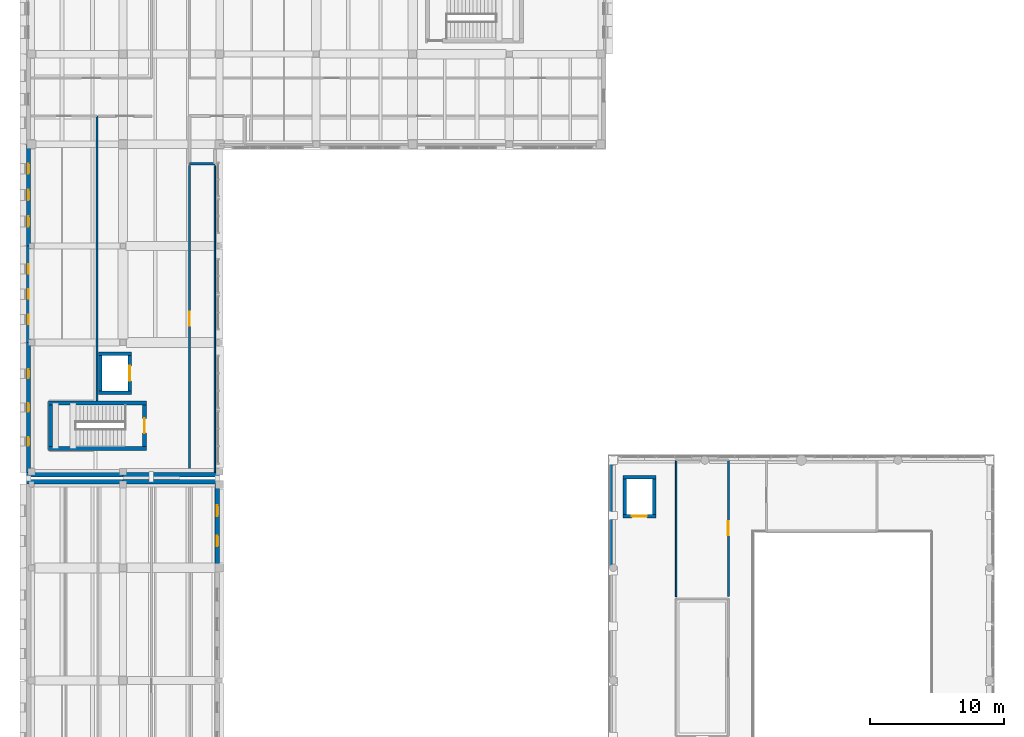
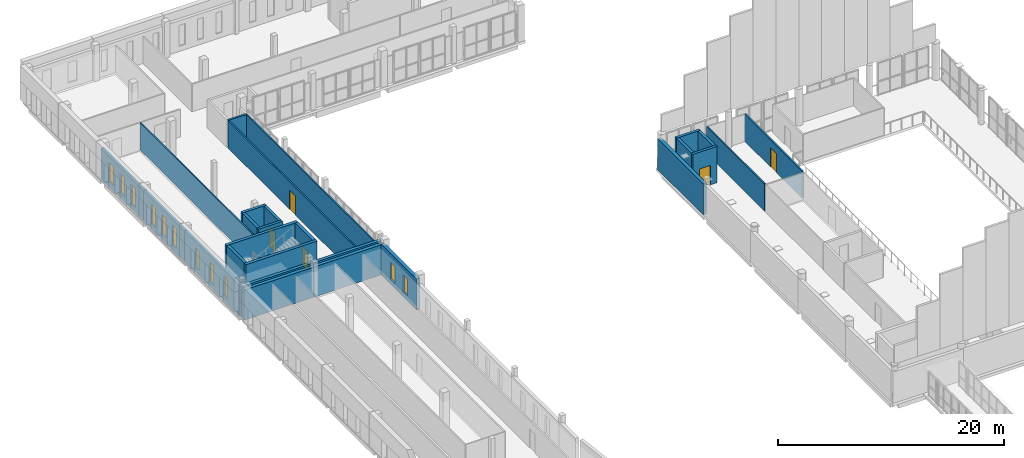
# One storey, part 57 of 76: 27 walls, 11 windows, 5 doors, 16 openings.
"""IFC4 building model written with IfcOpenShell, lengths in metres."""

from ifc_helpers import new_model, si_unit, direction, frame, frame_2d, origin, place, context, subcontext, project, spatial, rectangle, extrude, material, layer, layer_set, type_object, element, fill, save


model = new_model("IFC4")

# Units and contexts
model_context = context("Model", 3, precision=1e-05, world=origin(), true_north=direction((0.0, 1.0)))
body_context = subcontext(model_context, "Body", "Model", "MODEL_VIEW")
ifc_project = project(units=[si_unit("LENGTHUNIT", "METRE"), si_unit("AREAUNIT", "SQUARE_METRE"), si_unit("VOLUMEUNIT", "CUBIC_METRE"), si_unit("PLANEANGLEUNIT", "RADIAN"), si_unit("MASSUNIT", "GRAM", prefix="KILO")], contexts=[model_context])

# Site, building, storey
site_placement = place(None, origin())
site = spatial("IfcSite", under=ifc_project, at=site_placement, CompositionType="ELEMENT")
building_placement = place(site_placement, origin())
building = spatial("IfcBuilding", under=site, at=building_placement, Name="Vardoun Plaza Health Centre", CompositionType="ELEMENT")
storey_placement = place(building_placement, frame((0.0, 0.0, 4.5)))
storey = spatial("IfcBuildingStorey", under=building, at=storey_placement, Name="L01", CompositionType="ELEMENT", Elevation=4.5)

# Walls
ifc_material_1 = material(Name="Concrete C40/50", Category="concrete")
ifc_layer_1 = layer(ifc_material_1, 0.27001953125)
ifc_layer_set_1 = layer_set([ifc_layer_1], Name="Concrete C40/50")
wall_type_1 = type_object("IfcWallType", Name="SW-03", PredefinedType="SHEAR", material=ifc_layer_set_1)
wall_1_placement = place(storey_placement, frame((12.3349609375, 82.949951171875, 0.0), z_axis=(0.0, 0.0, 1.0), x_axis=(-1.0, 0.0, 0.0)))
element("IfcWall", 1, at=wall_1_placement, inside=storey, type_object=wall_type_1, Name="Lift LP-01 L01 Shaft Wall S", PredefinedType="SHEAR", context=body_context, shape_type="SweptSolid", body=[
    extrude(rectangle(XDim=2.469970703125, YDim=0.27001953125, at=frame_2d((1.23486328125, 0.0))), origin(), (0.0, 0.0, 1.0), 3.93505859375),
])
wall_2_placement = place(storey_placement, frame((10.0, 83.0849609375, 0.0), z_axis=(0.0, 0.0, 1.0), x_axis=(0.0, 1.0, 0.0)))
element("IfcWall", 2, at=wall_2_placement, inside=storey, type_object=wall_type_1, Name="Lift LP-01 L01 Shaft Wall W", PredefinedType="SHEAR", context=body_context, shape_type="SweptSolid", body=[
    extrude(rectangle(XDim=2.630126953125, YDim=0.27001953125, at=frame_2d((1.31494140625, 0.0))), origin(), (0.0, 0.0, 1.0), 3.93505859375),
])
wall_3_placement = place(storey_placement, frame((9.864990234375, 85.85009765625, 0.0), z_axis=(0.0, 0.0, 1.0), x_axis=(1.0, 0.0, 0.0)))
element("IfcWall", 3, at=wall_3_placement, inside=storey, type_object=wall_type_1, Name="Lift LP-01 L01 Shaft Wall N", PredefinedType="SHEAR", context=body_context, shape_type="SweptSolid", body=[
    extrude(rectangle(XDim=2.469970703125, YDim=0.27001953125, at=frame_2d((1.23486328125, 0.0))), origin(), (0.0, 0.0, 1.0), 3.93505859375),
])

# Wall, opening, door
wall_4_placement = place(storey_placement, frame((12.199951171875, 85.715087890625, 0.0), z_axis=(0.0, 0.0, 1.0), x_axis=(0.0, -1.0, 0.0)))
wall_4 = element("IfcWall", 4, at=wall_4_placement, inside=storey, type_object=wall_type_1, Name="Lift LP-01 L01 Shaft Wall E", PredefinedType="SHEAR", context=body_context, shape_type="SweptSolid", body=[
    extrude(rectangle(XDim=2.630126953125, YDim=0.27001953125, at=frame_2d((1.31494140625, 0.0))), origin(), (0.0, 0.0, 1.0), 3.93505859375),
])
opening_1_placement = place(wall_4_placement, frame((0.7548828125, 0.0, 0.0)))
opening_1 = element("IfcOpeningElement", 5, at=opening_1_placement, cuts=wall_4, Name="Opening LD-LP-01-L01", PredefinedType="OPENING", context=body_context, shape_type="SweptSolid", body=[
    extrude(rectangle(XDim=1.1201171875, YDim=2.10009765625, at=frame_2d((0.56005859375, 1.050048828125))), frame((0.0, 0.135009765625, 0.0), z_axis=(0.0, -1.0, 0.0), x_axis=(1.0, 0.0, 0.0)), (0.0, 0.0, 1.0), 0.27001953125),
])
ifc_material_2 = material(Name="Brushed Stainless Steel Grade 316L", Category="steel")
door_type_1 = type_object("IfcDoorType", Name="LD-01", OperationType="DOUBLE_DOOR_SLIDING", PredefinedType="DOOR", material=ifc_material_2)
door_1_placement = place(opening_1_placement, origin())
door_1 = element("IfcDoor", 6, at=door_1_placement, inside=storey, type_object=door_type_1, Name="Lift LP-01 L01 Sliding Landing Door", OperationType="DOUBLE_DOOR_SLIDING", OverallHeight=2.10009765625, OverallWidth=1.1201171875, PredefinedType="DOOR", context=body_context, shape_type="SweptSolid", body=[
    extrude(rectangle(XDim=1.1201171875, YDim=2.10009765625, at=frame_2d((0.56005859375, 1.050048828125))), frame((0.0, 0.02490234375, 0.0), z_axis=(0.0, -1.0, 0.0), x_axis=(1.0, 0.0, 0.0)), (0.0, 0.0, 1.0), 0.050048828125),
])
fill(opening_1, door_1)

wall_5_placement = place(storey_placement, frame((51.43505859375, 73.75, 0.0), z_axis=(0.0, 0.0, 1.0), x_axis=(-1.0, 0.0, 0.0)))
wall_5 = element("IfcWall", 7, at=wall_5_placement, inside=storey, type_object=wall_type_1, Name="Lift LP-02 L01 Shaft Wall S", PredefinedType="SHEAR", context=body_context, shape_type="SweptSolid", body=[
    extrude(rectangle(XDim=2.469970703125, YDim=0.27001953125, at=frame_2d((1.23486328125, 0.0))), origin(), (0.0, 0.0, 1.0), 3.919921875),
])
opening_2_placement = place(wall_5_placement, frame((0.675048828125, 0.0, 0.0)))
opening_2 = element("IfcOpeningElement", 8, at=opening_2_placement, cuts=wall_5, Name="Opening LD-LP-02-L01", PredefinedType="OPENING", context=body_context, shape_type="SweptSolid", body=[
    extrude(rectangle(XDim=1.1201171875, YDim=2.10009765625, at=frame_2d((0.56005859375, 1.050048828125))), frame((0.0, 0.135009765625, 0.0), z_axis=(0.0, -1.0, 0.0), x_axis=(1.0, 0.0, 0.0)), (0.0, 0.0, 1.0), 0.27001953125),
])
door_2_placement = place(opening_2_placement, origin())
door_2 = element("IfcDoor", 9, at=door_2_placement, inside=storey, type_object=door_type_1, Name="Lift LP-02 L01 Sliding Landing Door", OperationType="DOUBLE_DOOR_SLIDING", OverallHeight=2.10009765625, OverallWidth=1.1201171875, PredefinedType="DOOR", context=body_context, shape_type="SweptSolid", body=[
    extrude(rectangle(XDim=1.1201171875, YDim=2.10009765625, at=frame_2d((0.56005859375, 1.050048828125))), frame((0.0, 0.02490234375, 0.0), z_axis=(0.0, -1.0, 0.0), x_axis=(1.0, 0.0, 0.0)), (0.0, 0.0, 1.0), 0.050048828125),
])
fill(opening_2, door_2)

# Walls
wall_6_placement = place(storey_placement, frame((49.10009765625, 73.885009765625, 0.0), z_axis=(0.0, 0.0, 1.0), x_axis=(0.0, 1.0, 0.0)))
element("IfcWall", 10, at=wall_6_placement, inside=storey, type_object=wall_type_1, Name="Lift LP-02 L01 Shaft Wall W", PredefinedType="SHEAR", context=body_context, shape_type="SweptSolid", body=[
    extrude(rectangle(XDim=2.6298828125, YDim=0.27001953125, at=frame_2d((1.31494140625, 0.0))), origin(), (0.0, 0.0, 1.0), 3.919921875),
])
wall_7_placement = place(storey_placement, frame((48.965087890625, 76.64990234375, 0.0), z_axis=(0.0, 0.0, 1.0), x_axis=(1.0, 0.0, 0.0)))
element("IfcWall", 11, at=wall_7_placement, inside=storey, type_object=wall_type_1, Name="Lift LP-02 L01 Shaft Wall N", PredefinedType="SHEAR", context=body_context, shape_type="SweptSolid", body=[
    extrude(rectangle(XDim=2.469970703125, YDim=0.27001953125, at=frame_2d((1.23486328125, 0.0))), origin(), (0.0, 0.0, 1.0), 3.919921875),
])
wall_8_placement = place(storey_placement, frame((51.300048828125, 76.514892578125, 0.0), z_axis=(0.0, 0.0, 1.0), x_axis=(0.0, -1.0, 0.0)))
element("IfcWall", 12, at=wall_8_placement, inside=storey, type_object=wall_type_1, Name="Lift LP-02 L01 Shaft Wall E", PredefinedType="SHEAR", context=body_context, shape_type="SweptSolid", body=[
    extrude(rectangle(XDim=2.6298828125, YDim=0.27001953125, at=frame_2d((1.31494140625, 0.0))), origin(), (0.0, 0.0, 1.0), 3.919921875),
])
ifc_material_3 = material(Name="Concrete C40/50", Category="concrete")
ifc_layer_2 = layer(ifc_material_3, 0.300048828125)
ifc_layer_set_2 = layer_set([ifc_layer_2], Name="Concrete C40/50")
wall_type_2 = type_object("IfcWallType", Name="SW-01", PredefinedType="SHEAR", material=ifc_layer_set_2)
wall_9_placement = place(storey_placement, frame((13.449951171875, 78.800048828125, 0.0), z_axis=(0.0, 0.0, 1.0), x_axis=(-1.0, 0.0, 0.0)))
element("IfcWall", 13, at=wall_9_placement, inside=storey, type_object=wall_type_2, Name="Core C3 L01 Shear Wall S", PredefinedType="SHEAR", context=body_context, shape_type="SweptSolid", body=[
    extrude(rectangle(XDim=7.300048828125, YDim=0.300048828125, at=frame_2d((3.64990234375, 0.0))), origin(), (0.0, 0.0, 1.0), 3.93505859375),
])
wall_10_placement = place(storey_placement, frame((6.300048828125, 78.949951171875, 0.0), z_axis=(0.0, 0.0, 1.0), x_axis=(0.0, 1.0, 0.0)))
element("IfcWall", 14, at=wall_10_placement, inside=storey, type_object=wall_type_2, Name="Core C3 L01 Shear Wall W", PredefinedType="SHEAR", context=body_context, shape_type="SweptSolid", body=[
    extrude(rectangle(XDim=3.10009765625, YDim=0.300048828125, at=frame_2d((1.550048828125, 0.0))), origin(), (0.0, 0.0, 1.0), 3.93505859375),
])
wall_11_placement = place(storey_placement, frame((6.14990234375, 82.199951171875, 0.0), z_axis=(0.0, 0.0, 1.0), x_axis=(1.0, 0.0, 0.0)))
element("IfcWall", 15, at=wall_11_placement, inside=storey, type_object=wall_type_2, Name="Core C3 L01 Shear Wall N", PredefinedType="SHEAR", context=body_context, shape_type="SweptSolid", body=[
    extrude(rectangle(XDim=7.300048828125, YDim=0.300048828125, at=frame_2d((3.64990234375, 0.0))), origin(), (0.0, 0.0, 1.0), 3.93505859375),
])

# Wall, opening, door
wall_12_placement = place(storey_placement, frame((13.300048828125, 82.050048828125, 0.0), z_axis=(0.0, 0.0, 1.0), x_axis=(0.0, -1.0, 0.0)))
wall_12 = element("IfcWall", 16, at=wall_12_placement, inside=storey, type_object=wall_type_2, Name="Core C3 L01 Shear Wall E", PredefinedType="SHEAR", context=body_context, shape_type="SweptSolid", body=[
    extrude(rectangle(XDim=3.10009765625, YDim=0.300048828125, at=frame_2d((1.550048828125, 0.0))), origin(), (0.0, 0.0, 1.0), 3.93505859375),
])
opening_3_placement = place(wall_12_placement, frame((1.0, 0.0, 0.0)))
opening_3 = element("IfcOpeningElement", 17, at=opening_3_placement, cuts=wall_12, Name="Opening SD-C3-L01", PredefinedType="OPENING", context=body_context, shape_type="SweptSolid", body=[
    extrude(rectangle(XDim=1.10009765625, YDim=2.050048828125, at=frame_2d((0.550048828125, 1.02490234375))), frame((0.0, 0.14990234375, 0.0), z_axis=(0.0, -1.0, 0.0), x_axis=(1.0, 0.0, 0.0)), (0.0, 0.0, 1.0), 0.300048828125),
])
ifc_material_4 = material(Name="Brushed Stainless Steel Grade 316L", Category="steel")
door_type_2 = type_object("IfcDoorType", Name="FD-01", OperationType="NOTDEFINED", PredefinedType="DOOR", material=ifc_material_4)
door_3_placement = place(opening_3_placement, origin())
door_3 = element("IfcDoor", 18, at=door_3_placement, inside=storey, type_object=door_type_2, Name="Stair C3 L01 Fire Door", OperationType="SINGLE_SWING_RIGHT", OverallHeight=2.050048828125, OverallWidth=1.10009765625, PredefinedType="DOOR", context=body_context, shape_type="SweptSolid", body=[
    extrude(rectangle(XDim=1.10009765625, YDim=2.050048828125, at=frame_2d((0.550048828125, 1.02490234375))), frame((0.0, 0.02490234375, 0.0), z_axis=(0.0, -1.0, 0.0), x_axis=(1.0, 0.0, 0.0)), (0.0, 0.0, 1.0), 0.050048828125),
])
fill(opening_3, door_3)

# Walls
ifc_material_5 = material(Name="Pale Limestone Concrete C35/45", Category="masonry")
ifc_layer_3 = layer(ifc_material_5, 0.31494140625)
ifc_layer_set_3 = layer_set([ifc_layer_3], Name="Pale Limestone Concrete C35/45")
wall_type_3 = type_object("IfcWallType", Name="EW-03", PredefinedType="SOLIDWALL", material=ifc_layer_set_3)
for number, where, z_axis, x_axis, name in (
    (19, (18.89990234375, 76.83740234375, 0.0), (0.0, 0.0, 1.0), (-1.0, 0.0, 0.0), "V3 L01 Exterior Wall EW-V3-267"),
    (20, (11.699951171875, 76.83740234375, 0.0), (0.0, 0.0, 1.0), (-1.0, 0.0, 0.0), "V3 L01 Exterior Wall EW-V3-268"),
):
    element("IfcWall", number, at=place(storey_placement, frame(where, z_axis=z_axis, x_axis=x_axis)), inside=storey, type_object=wall_type_3, Name=name, PredefinedType="SOLIDWALL", context=body_context, shape_type="SweptSolid", body=[
        extrude(rectangle(XDim=7.199951171875, YDim=0.31494140625, at=frame_2d((3.60009765625, 0.0))), origin(), (0.0, 0.0, 1.0), 3.300048828125),
    ])

# Wall, openings, windows
wall_13_placement = place(storey_placement, frame((4.657470703125, 76.9951171875, 0.0), z_axis=(0.0, 0.0, 1.0), x_axis=(0.0, 1.0, 0.0)))
wall_13 = element("IfcWall", 21, at=wall_13_placement, inside=storey, type_object=wall_type_3, Name="V3 L01 Exterior Wall EW-V3-269", PredefinedType="SOLIDWALL", context=body_context, shape_type="SweptSolid", body=[
    extrude(rectangle(XDim=9.704833984375, YDim=0.31494140625, at=frame_2d((4.8525390625, 0.0))), origin(), (0.0, 0.0, 1.0), 3.300048828125),
])
opening_4_placement = place(wall_13_placement, frame((2.004150390625, 0.0, 0.550048828125)))
opening_4 = element("IfcOpeningElement", 22, at=opening_4_placement, cuts=wall_13, Name="Opening W-31-007", PredefinedType="OPENING", context=body_context, shape_type="SweptSolid", body=[
    extrude(rectangle(XDim=0.64990234375, YDim=2.139892578125, at=frame_2d((0.324951171875, 1.06982421875))), frame((0.0, 0.157470703125, 0.0), z_axis=(0.0, -1.0, 0.0), x_axis=(1.0, 0.0, 0.0)), (0.0, 0.0, 1.0), 0.31494140625),
])
opening_5_placement = place(wall_13_placement, frame((4.527587890625, 0.0, 0.550048828125)))
opening_5 = element("IfcOpeningElement", 23, at=opening_5_placement, cuts=wall_13, Name="Opening W-31-008", PredefinedType="OPENING", context=body_context, shape_type="SweptSolid", body=[
    extrude(rectangle(XDim=0.64990234375, YDim=2.139892578125, at=frame_2d((0.324951171875, 1.06982421875))), frame((0.0, 0.157470703125, 0.0), z_axis=(0.0, -1.0, 0.0), x_axis=(1.0, 0.0, 0.0)), (0.0, 0.0, 1.0), 0.31494140625),
])
opening_6_placement = place(wall_13_placement, frame((7.05078125, 0.0, 0.550048828125)))
opening_6 = element("IfcOpeningElement", 24, at=opening_6_placement, cuts=wall_13, Name="Opening W-31-009", PredefinedType="OPENING", context=body_context, shape_type="SweptSolid", body=[
    extrude(rectangle(XDim=0.64990234375, YDim=2.139892578125, at=frame_2d((0.324951171875, 1.06982421875))), frame((0.0, 0.157470703125, 0.0), z_axis=(0.0, -1.0, 0.0), x_axis=(1.0, 0.0, 0.0)), (0.0, 0.0, 1.0), 0.31494140625),
])
ifc_material_6 = material(Name="Aluminium Alloy EN AW-6063-T6 and Low-E Glass", Category="aluminium")
window_type_1 = type_object("IfcWindowType", Name="W-31", PartitioningType="SINGLE_PANEL", PredefinedType="WINDOW", material=ifc_material_6)
window_1_placement = place(opening_4_placement, origin())
window_1 = element("IfcWindow", 25, at=window_1_placement, inside=storey, type_object=window_type_1, Name="V3 L01 Deep-Punched Slot Window W-31-411", OverallHeight=2.139892578125, OverallWidth=0.64990234375, PartitioningType="SINGLE_PANEL", PredefinedType="WINDOW", context=body_context, shape_type="SweptSolid", body=[
    extrude(rectangle(XDim=0.64990234375, YDim=2.139892578125, at=frame_2d((0.324951171875, 1.06982421875))), frame((0.0, 0.030029296875, 0.0), z_axis=(0.0, -1.0, 0.0), x_axis=(1.0, 0.0, 0.0)), (0.0, 0.0, 1.0), 0.06005859375),
])
fill(opening_4, window_1)
window_2_placement = place(opening_5_placement, origin())
window_2 = element("IfcWindow", 26, at=window_2_placement, inside=storey, type_object=window_type_1, Name="V3 L01 Deep-Punched Slot Window W-31-412", OverallHeight=2.139892578125, OverallWidth=0.64990234375, PartitioningType="SINGLE_PANEL", PredefinedType="WINDOW", context=body_context, shape_type="SweptSolid", body=[
    extrude(rectangle(XDim=0.64990234375, YDim=2.139892578125, at=frame_2d((0.324951171875, 1.06982421875))), frame((0.0, 0.030029296875, 0.0), z_axis=(0.0, -1.0, 0.0), x_axis=(1.0, 0.0, 0.0)), (0.0, 0.0, 1.0), 0.06005859375),
])
fill(opening_5, window_2)
window_3_placement = place(opening_6_placement, origin())
window_3 = element("IfcWindow", 27, at=window_3_placement, inside=storey, type_object=window_type_1, Name="V3 L01 Deep-Punched Slot Window W-31-413", OverallHeight=2.139892578125, OverallWidth=0.64990234375, PartitioningType="SINGLE_PANEL", PredefinedType="WINDOW", context=body_context, shape_type="SweptSolid", body=[
    extrude(rectangle(XDim=0.64990234375, YDim=2.139892578125, at=frame_2d((0.324951171875, 1.06982421875))), frame((0.0, 0.030029296875, 0.0), z_axis=(0.0, -1.0, 0.0), x_axis=(1.0, 0.0, 0.0)), (0.0, 0.0, 1.0), 0.06005859375),
])
fill(opening_6, window_3)

wall_14_placement = place(storey_placement, frame((4.657470703125, 86.699951171875, 0.0), z_axis=(0.0, 0.0, 1.0), x_axis=(0.0, 1.0, 0.0)))
wall_14 = element("IfcWall", 28, at=wall_14_placement, inside=storey, type_object=wall_type_3, Name="V3 L01 Exterior Wall EW-V3-270", PredefinedType="SOLIDWALL", context=body_context, shape_type="SweptSolid", body=[
    extrude(rectangle(XDim=7.199951171875, YDim=0.31494140625, at=frame_2d((3.60009765625, 0.0))), origin(), (0.0, 0.0, 1.0), 3.27001953125),
])
opening_7_placement = place(wall_14_placement, frame((1.373046875, 0.0, 0.550048828125)))
opening_7 = element("IfcOpeningElement", 29, at=opening_7_placement, cuts=wall_14, Name="Opening W-32-009", PredefinedType="OPENING", context=body_context, shape_type="SweptSolid", body=[
    extrude(rectangle(XDim=0.7099609375, YDim=2.139892578125, at=frame_2d((0.35498046875, 1.06982421875))), frame((0.0, 0.157470703125, 0.0), z_axis=(0.0, -1.0, 0.0), x_axis=(1.0, 0.0, 0.0)), (0.0, 0.0, 1.0), 0.31494140625),
])
opening_8_placement = place(wall_14_placement, frame((3.2451171875, 0.0, 0.550048828125)))
opening_8 = element("IfcOpeningElement", 30, at=opening_8_placement, cuts=wall_14, Name="Opening W-32-010", PredefinedType="OPENING", context=body_context, shape_type="SweptSolid", body=[
    extrude(rectangle(XDim=0.7099609375, YDim=2.139892578125, at=frame_2d((0.35498046875, 1.06982421875))), frame((0.0, 0.157470703125, 0.0), z_axis=(0.0, -1.0, 0.0), x_axis=(1.0, 0.0, 0.0)), (0.0, 0.0, 1.0), 0.31494140625),
])
opening_9_placement = place(wall_14_placement, frame((5.116943359375, 0.0, 0.550048828125)))
opening_9 = element("IfcOpeningElement", 31, at=opening_9_placement, cuts=wall_14, Name="Opening W-32-011", PredefinedType="OPENING", context=body_context, shape_type="SweptSolid", body=[
    extrude(rectangle(XDim=0.7099609375, YDim=2.139892578125, at=frame_2d((0.35498046875, 1.06982421875))), frame((0.0, 0.157470703125, 0.0), z_axis=(0.0, -1.0, 0.0), x_axis=(1.0, 0.0, 0.0)), (0.0, 0.0, 1.0), 0.31494140625),
])
ifc_material_7 = material(Name="Aluminium Alloy EN AW-6063-T6 and Low-E Glass", Category="aluminium")
window_type_2 = type_object("IfcWindowType", Name="W-32", PartitioningType="SINGLE_PANEL", PredefinedType="WINDOW", material=ifc_material_7)
window_4_placement = place(opening_7_placement, origin())
window_4 = element("IfcWindow", 32, at=window_4_placement, inside=storey, type_object=window_type_2, Name="V3 L01 Deep-Punched Slot Window W-32-414", OverallHeight=2.139892578125, OverallWidth=0.7099609375, PartitioningType="SINGLE_PANEL", PredefinedType="WINDOW", context=body_context, shape_type="SweptSolid", body=[
    extrude(rectangle(XDim=0.7099609375, YDim=2.139892578125, at=frame_2d((0.35498046875, 1.06982421875))), frame((0.0, 0.030029296875, 0.0), z_axis=(0.0, -1.0, 0.0), x_axis=(1.0, 0.0, 0.0)), (0.0, 0.0, 1.0), 0.06005859375),
])
fill(opening_7, window_4)
window_5_placement = place(opening_8_placement, origin())
window_5 = element("IfcWindow", 33, at=window_5_placement, inside=storey, type_object=window_type_2, Name="V3 L01 Deep-Punched Slot Window W-32-415", OverallHeight=2.139892578125, OverallWidth=0.7099609375, PartitioningType="SINGLE_PANEL", PredefinedType="WINDOW", context=body_context, shape_type="SweptSolid", body=[
    extrude(rectangle(XDim=0.7099609375, YDim=2.139892578125, at=frame_2d((0.35498046875, 1.06982421875))), frame((0.0, 0.030029296875, 0.0), z_axis=(0.0, -1.0, 0.0), x_axis=(1.0, 0.0, 0.0)), (0.0, 0.0, 1.0), 0.06005859375),
])
fill(opening_8, window_5)
window_6_placement = place(opening_9_placement, origin())
window_6 = element("IfcWindow", 34, at=window_6_placement, inside=storey, type_object=window_type_2, Name="V3 L01 Deep-Punched Slot Window W-32-416", OverallHeight=2.139892578125, OverallWidth=0.7099609375, PartitioningType="SINGLE_PANEL", PredefinedType="WINDOW", context=body_context, shape_type="SweptSolid", body=[
    extrude(rectangle(XDim=0.7099609375, YDim=2.139892578125, at=frame_2d((0.35498046875, 1.06982421875))), frame((0.0, 0.030029296875, 0.0), z_axis=(0.0, -1.0, 0.0), x_axis=(1.0, 0.0, 0.0)), (0.0, 0.0, 1.0), 0.06005859375),
])
fill(opening_9, window_6)

wall_15_placement = place(storey_placement, frame((4.657470703125, 93.89990234375, 0.0), z_axis=(0.0, 0.0, 1.0), x_axis=(0.0, 1.0, 0.0)))
wall_15 = element("IfcWall", 35, at=wall_15_placement, inside=storey, type_object=wall_type_3, Name="V3 L01 Exterior Wall EW-V3-271", PredefinedType="SOLIDWALL", context=body_context, shape_type="SweptSolid", body=[
    extrude(rectangle(XDim=7.580078125, YDim=0.31494140625, at=frame_2d((3.7900390625, 0.0))), origin(), (0.0, 0.0, 1.0), 3.27001953125),
])
opening_10_placement = place(wall_15_placement, frame((1.43408203125, 0.0, 0.550048828125)))
opening_10 = element("IfcOpeningElement", 36, at=opening_10_placement, cuts=wall_15, Name="Opening W-33-004", PredefinedType="OPENING", context=body_context, shape_type="SweptSolid", body=[
    extrude(rectangle(XDim=0.77001953125, YDim=2.06005859375, at=frame_2d((0.385009765625, 1.030029296875))), frame((0.0, 0.157470703125, 0.0), z_axis=(0.0, -1.0, 0.0), x_axis=(1.0, 0.0, 0.0)), (0.0, 0.0, 1.0), 0.31494140625),
])
opening_11_placement = place(wall_15_placement, frame((3.405029296875, 0.0, 0.550048828125)))
opening_11 = element("IfcOpeningElement", 37, at=opening_11_placement, cuts=wall_15, Name="Opening W-33-005", PredefinedType="OPENING", context=body_context, shape_type="SweptSolid", body=[
    extrude(rectangle(XDim=0.77001953125, YDim=2.06005859375, at=frame_2d((0.385009765625, 1.030029296875))), frame((0.0, 0.157470703125, 0.0), z_axis=(0.0, -1.0, 0.0), x_axis=(1.0, 0.0, 0.0)), (0.0, 0.0, 1.0), 0.31494140625),
])
opening_12_placement = place(wall_15_placement, frame((5.375732421875, 0.0, 0.550048828125)))
opening_12 = element("IfcOpeningElement", 38, at=opening_12_placement, cuts=wall_15, Name="Opening W-33-006", PredefinedType="OPENING", context=body_context, shape_type="SweptSolid", body=[
    extrude(rectangle(XDim=0.77001953125, YDim=2.06005859375, at=frame_2d((0.385009765625, 1.030029296875))), frame((0.0, 0.157470703125, 0.0), z_axis=(0.0, -1.0, 0.0), x_axis=(1.0, 0.0, 0.0)), (0.0, 0.0, 1.0), 0.31494140625),
])
ifc_material_8 = material(Name="Aluminium Alloy EN AW-6063-T6 and Low-E Glass", Category="aluminium")
window_type_3 = type_object("IfcWindowType", Name="W-33", PartitioningType="SINGLE_PANEL", PredefinedType="WINDOW", material=ifc_material_8)
window_7_placement = place(opening_10_placement, origin())
window_7 = element("IfcWindow", 39, at=window_7_placement, inside=storey, type_object=window_type_3, Name="V3 L01 Deep-Punched Slot Window W-33-417", OverallHeight=2.06005859375, OverallWidth=0.77001953125, PartitioningType="SINGLE_PANEL", PredefinedType="WINDOW", context=body_context, shape_type="SweptSolid", body=[
    extrude(rectangle(XDim=0.77001953125, YDim=2.06005859375, at=frame_2d((0.385009765625, 1.030029296875))), frame((0.0, 0.030029296875, 0.0), z_axis=(0.0, -1.0, 0.0), x_axis=(1.0, 0.0, 0.0)), (0.0, 0.0, 1.0), 0.06005859375),
])
fill(opening_10, window_7)
window_8_placement = place(opening_11_placement, origin())
window_8 = element("IfcWindow", 40, at=window_8_placement, inside=storey, type_object=window_type_3, Name="V3 L01 Deep-Punched Slot Window W-33-418", OverallHeight=2.06005859375, OverallWidth=0.77001953125, PartitioningType="SINGLE_PANEL", PredefinedType="WINDOW", context=body_context, shape_type="SweptSolid", body=[
    extrude(rectangle(XDim=0.77001953125, YDim=2.06005859375, at=frame_2d((0.385009765625, 1.030029296875))), frame((0.0, 0.030029296875, 0.0), z_axis=(0.0, -1.0, 0.0), x_axis=(1.0, 0.0, 0.0)), (0.0, 0.0, 1.0), 0.06005859375),
])
fill(opening_11, window_8)
window_9_placement = place(opening_12_placement, origin())
window_9 = element("IfcWindow", 41, at=window_9_placement, inside=storey, type_object=window_type_3, Name="V3 L01 Deep-Punched Slot Window W-33-419", OverallHeight=2.06005859375, OverallWidth=0.77001953125, PartitioningType="SINGLE_PANEL", PredefinedType="WINDOW", context=body_context, shape_type="SweptSolid", body=[
    extrude(rectangle(XDim=0.77001953125, YDim=2.06005859375, at=frame_2d((0.385009765625, 1.030029296875))), frame((0.0, 0.030029296875, 0.0), z_axis=(0.0, -1.0, 0.0), x_axis=(1.0, 0.0, 0.0)), (0.0, 0.0, 1.0), 0.06005859375),
])
fill(opening_12, window_9)

# Walls
ifc_material_9 = material(Name="Pale Limestone Concrete C35/45", Category="masonry")
ifc_layer_4 = layer(ifc_material_9, 0.330078125)
ifc_layer_set_4 = layer_set([ifc_layer_4], Name="Pale Limestone Concrete C35/45")
wall_type_4 = type_object("IfcWallType", Name="EW-02", PredefinedType="SOLIDWALL", material=ifc_layer_set_4)
wall_16_placement = place(storey_placement, frame((48.044921875, 69.89990234375, 0.0), z_axis=(0.0, 0.0, 1.0), x_axis=(0.0, 1.0, 0.0)))
element("IfcWall", 42, at=wall_16_placement, inside=storey, type_object=wall_type_4, Name="V1 L01 Exterior Wall EW-V1-038", PredefinedType="SOLIDWALL", context=body_context, shape_type="SweptSolid", body=[
    extrude(rectangle(XDim=8.070068359375, YDim=0.330078125, at=frame_2d((4.03515625, 0.0))), origin(), (0.0, 0.0, 1.0), 3.385009765625),
])
ifc_material_10 = material(Name="Pale Limestone Concrete C35/45", Category="masonry")
ifc_layer_5 = layer(ifc_material_10, 0.344970703125)
ifc_layer_set_5 = layer_set([ifc_layer_5], Name="Pale Limestone Concrete C35/45")
wall_type_5 = type_object("IfcWallType", Name="EW-01", PredefinedType="SOLIDWALL", material=ifc_layer_set_5)
for number, where, z_axis, x_axis, name in (
    (43, (4.5, 76.327392578125, 0.0), (0.0, 0.0, 1.0), (1.0, 0.0, 0.0), "V2 L01 Exterior Wall EW-V2-099"),
    (44, (11.699951171875, 76.327392578125, 0.0), (0.0, 0.0, 1.0), (1.0, 0.0, 0.0), "V2 L01 Exterior Wall EW-V2-100"),
):
    element("IfcWall", number, at=place(storey_placement, frame(where, z_axis=z_axis, x_axis=x_axis)), inside=storey, type_object=wall_type_5, Name=name, PredefinedType="SOLIDWALL", context=body_context, shape_type="SweptSolid", body=[
        extrude(rectangle(XDim=7.199951171875, YDim=0.344970703125, at=frame_2d((3.60009765625, 0.0))), origin(), (0.0, 0.0, 1.0), 3.2548828125),
    ])

# Wall, openings, windows
wall_17_placement = place(storey_placement, frame((18.7275390625, 76.155029296875, 0.0), z_axis=(0.0, 0.0, 1.0), x_axis=(0.0, -1.0, 0.0)))
wall_17 = element("IfcWall", 45, at=wall_17_placement, inside=storey, type_object=wall_type_5, Name="V2 L01 Exterior Wall EW-V2-101", PredefinedType="SOLIDWALL", context=body_context, shape_type="SweptSolid", body=[
    extrude(rectangle(XDim=6.255126953125, YDim=0.344970703125, at=frame_2d((3.12744140625, 0.0))), origin(), (0.0, 0.0, 1.0), 3.35498046875),
])
opening_13_placement = place(wall_17_placement, frame((1.6015625, 0.0, 0.550048828125)))
opening_13 = element("IfcOpeningElement", 46, at=opening_13_placement, cuts=wall_17, Name="Opening W-27-004", PredefinedType="OPENING", context=body_context, shape_type="SweptSolid", body=[
    extrude(rectangle(XDim=0.800048828125, YDim=1.800048828125, at=frame_2d((0.39990234375, 0.89990234375))), frame((0.0, 0.17236328125, 0.0), z_axis=(0.0, -1.0, 0.0), x_axis=(1.0, 0.0, 0.0)), (0.0, 0.0, 1.0), 0.344970703125),
])
opening_14_placement = place(wall_17_placement, frame((3.853515625, 0.0, 0.550048828125)))
opening_14 = element("IfcOpeningElement", 47, at=opening_14_placement, cuts=wall_17, Name="Opening W-27-005", PredefinedType="OPENING", context=body_context, shape_type="SweptSolid", body=[
    extrude(rectangle(XDim=0.800048828125, YDim=1.800048828125, at=frame_2d((0.39990234375, 0.89990234375))), frame((0.0, 0.17236328125, 0.0), z_axis=(0.0, -1.0, 0.0), x_axis=(1.0, 0.0, 0.0)), (0.0, 0.0, 1.0), 0.344970703125),
])
ifc_material_11 = material(Name="Aluminium Alloy EN AW-6063-T6 and Low-E Glass", Category="aluminium")
window_type_4 = type_object("IfcWindowType", Name="W-27", PartitioningType="SINGLE_PANEL", PredefinedType="WINDOW", material=ifc_material_11)
window_10_placement = place(opening_13_placement, origin())
window_10 = element("IfcWindow", 48, at=window_10_placement, inside=storey, type_object=window_type_4, Name="V2 L01 Deep-Punched Slot Window W-27-052", OverallHeight=1.800048828125, OverallWidth=0.800048828125, PartitioningType="SINGLE_PANEL", PredefinedType="WINDOW", context=body_context, shape_type="SweptSolid", body=[
    extrude(rectangle(XDim=0.800048828125, YDim=1.800048828125, at=frame_2d((0.39990234375, 0.89990234375))), frame((0.0, 0.030029296875, 0.0), z_axis=(0.0, -1.0, 0.0), x_axis=(1.0, 0.0, 0.0)), (0.0, 0.0, 1.0), 0.06005859375),
])
fill(opening_13, window_10)
window_11_placement = place(opening_14_placement, origin())
window_11 = element("IfcWindow", 49, at=window_11_placement, inside=storey, type_object=window_type_4, Name="V2 L01 Deep-Punched Slot Window W-27-053", OverallHeight=1.800048828125, OverallWidth=0.800048828125, PartitioningType="SINGLE_PANEL", PredefinedType="WINDOW", context=body_context, shape_type="SweptSolid", body=[
    extrude(rectangle(XDim=0.800048828125, YDim=1.800048828125, at=frame_2d((0.39990234375, 0.89990234375))), frame((0.0, 0.030029296875, 0.0), z_axis=(0.0, -1.0, 0.0), x_axis=(1.0, 0.0, 0.0)), (0.0, 0.0, 1.0), 0.06005859375),
])
fill(opening_14, window_11)

# Wall, opening, door
ifc_material_12 = material(Name="Acoustic Gypsum Twin-Stud", Category="steel")
ifc_layer_6 = layer(ifc_material_12, 0.14990234375)
ifc_layer_set_6 = layer_set([ifc_layer_6], Name="Acoustic Gypsum Twin-Stud")
wall_type_6 = type_object("IfcWallType", Name="IW-04", PredefinedType="PARTITIONING", material=ifc_layer_set_6)
wall_18_placement = place(storey_placement, frame((56.830078125, 77.949951171875, 0.0), z_axis=(0.0, 0.0, 1.0), x_axis=(0.0, -1.0, 0.0)))
wall_18 = element("IfcWall", 50, at=wall_18_placement, inside=storey, type_object=wall_type_6, Name="Waiting Concourse Gallery North A Partition Wall", PredefinedType="PARTITIONING", context=body_context, shape_type="SweptSolid", body=[
    extrude(rectangle(XDim=10.204833984375, YDim=0.14990234375, at=frame_2d((5.1025390625, 0.0))), origin(), (0.0, 0.0, 1.0), 2.93994140625),
])
opening_15_placement = place(wall_18_placement, frame((4.58251953125, 0.0, 0.0)))
opening_15 = element("IfcOpeningElement", 51, at=opening_15_placement, cuts=wall_18, Name="Opening D-L01-017", PredefinedType="OPENING", context=body_context, shape_type="SweptSolid", body=[
    extrude(rectangle(XDim=1.0400390625, YDim=2.050048828125, at=frame_2d((0.52001953125, 1.02490234375))), frame((0.0, 0.074951171875, 0.0), z_axis=(0.0, -1.0, 0.0), x_axis=(1.0, 0.0, 0.0)), (0.0, 0.0, 1.0), 0.14990234375),
])
ifc_material_13 = material(Name="Antimicrobial Acoustic Timber and Steel S275JR", Category="steel")
door_type_3 = type_object("IfcDoorType", Name="CD-04", OperationType="NOTDEFINED", PredefinedType="DOOR", material=ifc_material_13)
door_4_placement = place(opening_15_placement, origin())
door_4 = element("IfcDoor", 52, at=door_4_placement, inside=storey, type_object=door_type_3, Name="Waiting Concourse Gallery North A Door D-L01-017", OperationType="SINGLE_SWING_LEFT", OverallHeight=2.050048828125, OverallWidth=1.0400390625, PredefinedType="DOOR", context=body_context, shape_type="SweptSolid", body=[
    extrude(rectangle(XDim=1.0400390625, YDim=2.050048828125, at=frame_2d((0.52001953125, 1.02490234375))), frame((0.0, 0.02490234375, 0.0), z_axis=(0.0, -1.0, 0.0), x_axis=(1.0, 0.0, 0.0)), (0.0, 0.0, 1.0), 0.050048828125),
])
fill(opening_15, door_4)

wall_19_placement = place(storey_placement, frame((16.669921875, 77.030029296875, 0.0), z_axis=(0.0, 0.0, 1.0), x_axis=(0.0, 1.0, 0.0)))
wall_19 = element("IfcWall", 53, at=wall_19_placement, inside=storey, type_object=wall_type_6, Name="Adolescent Health Consulting Room B Partition Wall", PredefinedType="PARTITIONING", context=body_context, shape_type="SweptSolid", body=[
    extrude(rectangle(XDim=22.859130859375, YDim=0.14990234375, at=frame_2d((11.4296875, 0.0))), origin(), (0.0, 0.0, 1.0), 2.955078125),
])
opening_16_placement = place(wall_19_placement, frame((10.909423828125, 0.0, 0.0)))
opening_16 = element("IfcOpeningElement", 54, at=opening_16_placement, cuts=wall_19, Name="Opening D-L01-095", PredefinedType="OPENING", context=body_context, shape_type="SweptSolid", body=[
    extrude(rectangle(XDim=1.0400390625, YDim=2.050048828125, at=frame_2d((0.52001953125, 1.02490234375))), frame((0.0, 0.074951171875, 0.0), z_axis=(0.0, -1.0, 0.0), x_axis=(1.0, 0.0, 0.0)), (0.0, 0.0, 1.0), 0.14990234375),
])
door_5_placement = place(opening_16_placement, origin())
door_5 = element("IfcDoor", 55, at=door_5_placement, inside=storey, type_object=door_type_3, Name="Adolescent Health Consulting Room B Door D-L01-095", OperationType="SINGLE_SWING_LEFT", OverallHeight=2.050048828125, OverallWidth=1.0400390625, PredefinedType="DOOR", context=body_context, shape_type="SweptSolid", body=[
    extrude(rectangle(XDim=1.0400390625, YDim=2.050048828125, at=frame_2d((0.52001953125, 1.02490234375))), frame((0.0, 0.02490234375, 0.0), z_axis=(0.0, -1.0, 0.0), x_axis=(1.0, 0.0, 0.0)), (0.0, 0.0, 1.0), 0.050048828125),
])
fill(opening_16, door_5)

# Walls
ifc_material_14 = material(Name="Standard Clinical Sub-Partition", Category="steel")
ifc_layer_7 = layer(ifc_material_14, 0.125)
ifc_layer_set_7 = layer_set([ifc_layer_7], Name="Standard Clinical Sub-Partition")
wall_type_7 = type_object("IfcWallType", Name="IW-11", PredefinedType="PARTITIONING", material=ifc_layer_set_7)
wall_20_placement = place(storey_placement, frame((52.93994140625, 67.7451171875, 0.0), z_axis=(0.0, 0.0, 1.0), x_axis=(0.0, 1.0, 0.0)))
element("IfcWall", 56, at=wall_20_placement, inside=storey, type_object=wall_type_7, Name="Waiting Concourse Gallery North A Enclosure Partition", PredefinedType="PARTITIONING", context=body_context, shape_type="SweptSolid", body=[
    extrude(rectangle(XDim=10.204833984375, YDim=0.125, at=frame_2d((5.1025390625, 0.0))), origin(), (0.0, 0.0, 1.0), 2.93994140625),
])
wall_21_placement = place(storey_placement, frame((9.760009765625, 103.580078125, 0.0), z_axis=(0.0, 0.0, 1.0), x_axis=(0.0, -1.0, 0.0)))
element("IfcWall", 57, at=wall_21_placement, inside=storey, type_object=wall_type_7, Name="Adolescent Health Consulting Room Enclosure Partition", PredefinedType="PARTITIONING", context=body_context, shape_type="SweptSolid", body=[
    extrude(rectangle(XDim=21.380126953125, YDim=0.125, at=frame_2d((10.68994140625, 0.0))), origin(), (0.0, 0.0, 1.0), 2.955078125),
])
wall_22_placement = place(storey_placement, frame((18.550048828125, 99.88916015625, 0.0), z_axis=(0.0, 0.0, 1.0), x_axis=(0.0, -1.0, 0.0)))
element("IfcWall", 58, at=wall_22_placement, inside=storey, type_object=wall_type_7, Name="Adolescent Health Consulting Room B Enclosure Partition", PredefinedType="PARTITIONING", context=body_context, shape_type="SweptSolid", body=[
    extrude(rectangle(XDim=22.859130859375, YDim=0.125, at=frame_2d((11.4296875, 0.0))), origin(), (0.0, 0.0, 1.0), 2.955078125),
])
ifc_material_15 = material(Name="Moisture-Resistant Plumbing Chase", Category="steel")
ifc_layer_8 = layer(ifc_material_15, 0.215087890625)
ifc_layer_set_8 = layer_set([ifc_layer_8], Name="Moisture-Resistant Plumbing Chase")
wall_type_8 = type_object("IfcWallType", Name="IW-06", PredefinedType="PLUMBINGWALL", material=ifc_layer_set_8)
wall_23_placement = place(storey_placement, frame((18.550048828125, 100.029052734375, 0.0), z_axis=(0.0, 0.0, 1.0), x_axis=(-1.0, 0.0, 0.0)))
element("IfcWall", 59, at=wall_23_placement, inside=storey, type_object=wall_type_8, Name="Accessible WC L01-V3 Enclosure Partition", PredefinedType="PLUMBINGWALL", context=body_context, shape_type="SweptSolid", body=[
    extrude(rectangle(XDim=1.880126953125, YDim=0.215087890625, at=frame_2d((0.93994140625, 0.0))), origin(), (0.0, 0.0, 1.0), 2.955078125),
])

save(model, "model.ifc")
